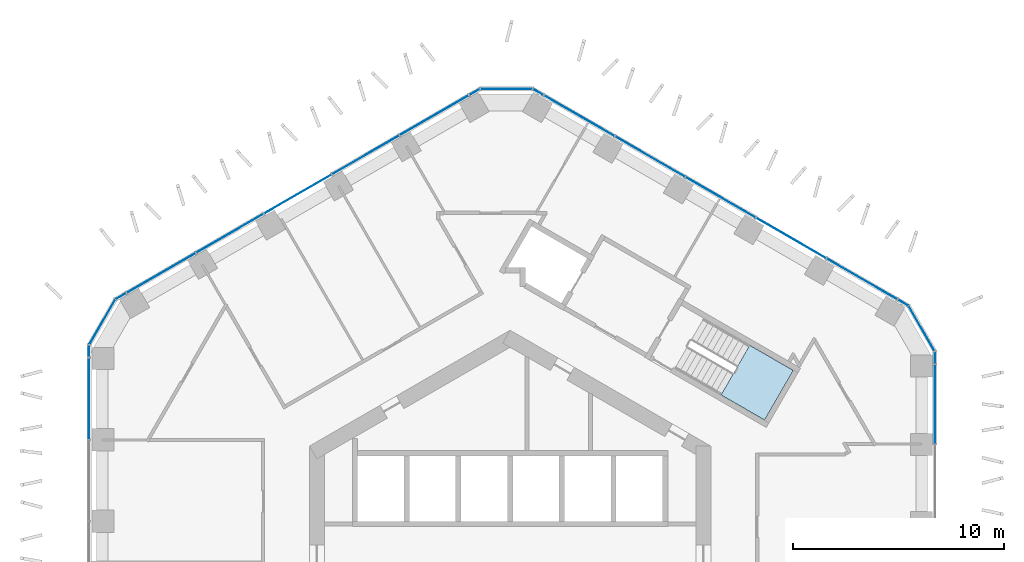
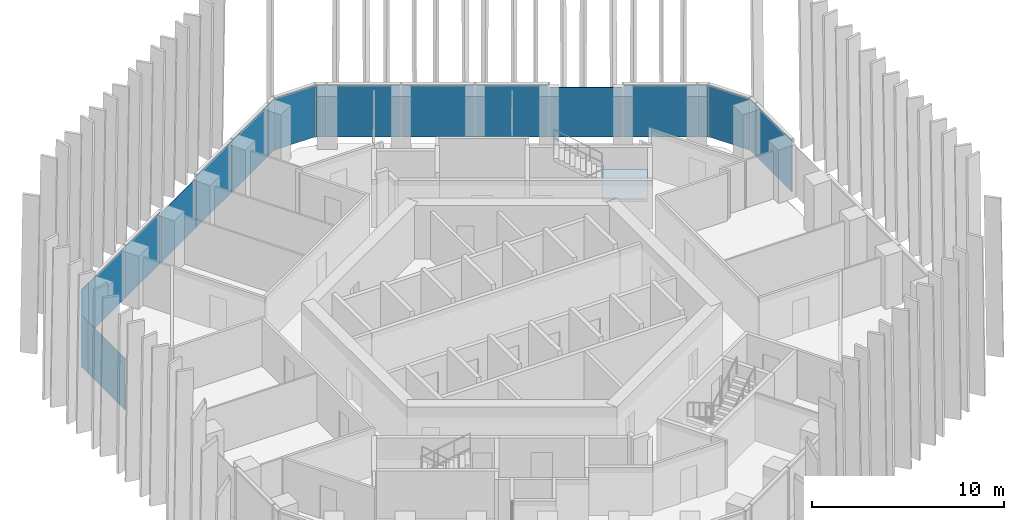
# One storey, part 11 of 19: 21 plates, 1 slab, 8 elements without a shape of their own.
"""IFC4 building model written with IfcOpenShell, lengths in metres."""

from ifc_helpers import new_model, si_unit, direction, frame, origin, origin_2d, place, context, subcontext, project, spatial, polyline, rectangle, outline, extrude, material, layer, layer_set, type_object, element, aggregate, save


model = new_model("IFC4")

# Units and contexts
model_context = context("Model", 3, precision=1e-05, world=origin(), true_north=direction((0.0, 1.0)))
body_context = subcontext(model_context, "Body", "Model", "MODEL_VIEW")
ifc_project = project(units=[si_unit("LENGTHUNIT", "METRE"), si_unit("AREAUNIT", "SQUARE_METRE"), si_unit("VOLUMEUNIT", "CUBIC_METRE"), si_unit("PLANEANGLEUNIT", "RADIAN"), si_unit("MASSUNIT", "GRAM", prefix="KILO")], contexts=[model_context])

# Site, building, storey
site_placement = place(None, origin())
site = spatial("IfcSite", under=ifc_project, at=site_placement, CompositionType="ELEMENT")
building_placement = place(site_placement, origin())
building = spatial("IfcBuilding", under=site, at=building_placement, Name="Ayvan Gate Tower", CompositionType="ELEMENT")
storey_placement = place(building_placement, frame((0.0, 0.0, 93.300048828125)))
storey = spatial("IfcBuildingStorey", under=building, at=storey_placement, Name="L24", CompositionType="ELEMENT", Elevation=93.300048828125)

# Stair, slab
ifc_material_1 = material(Name="Concrete C40/50", Category="concrete")
stair_type = type_object("IfcStairType", Name="ST-EXIT", PredefinedType="HALF_TURN_STAIR", material=ifc_material_1)
stair_placement = place(storey_placement, origin())
stair = element("IfcStair", 1, at=stair_placement, inside=storey, type_object=stair_type, Name="L24 Exit Stair S1", PredefinedType="HALF_TURN_STAIR")
ifc_layer_1 = layer(ifc_material_1, 0.199951171875)
ifc_layer_set_1 = layer_set([ifc_layer_1], Name="Concrete C40/50")
slab_type = type_object("IfcSlabType", Name="SL-LANDING-200", PredefinedType="LANDING", material=ifc_layer_set_1)
slab_placement = place(storey_placement, frame((0.0, 0.0, 1.5)))
slab = element("IfcSlab", 2, at=slab_placement, type_object=slab_type, Name="STS1 landing 1", PredefinedType="LANDING", context=body_context, shape_type="SweptSolid", body=[
    extrude(outline(polyline([(9.988525390625, 7.91064453125), (12.049560546875, 6.720458984375), (13.404541015625, 9.0673828125), (11.343505859375, 10.257568359375), (9.988525390625, 7.91064453125)])), origin(), (0.0, 0.0, 1.0), 0.199951171875),
])
aggregate(stair, [slab])

# Curtain wall, plates
ifc_material_2 = material(Name="Bronze anodised aluminium", Category="aluminium")
ifc_layer_2 = layer(ifc_material_2, 0.199951171875)
ifc_layer_set_2 = layer_set([ifc_layer_2], Name="Bronze anodised aluminium")
curtain_wall_type_1 = type_object("IfcCurtainWallType", Name="Stick curtain wall CW-1", PredefinedType="NOTDEFINED", material=ifc_layer_set_2)
curtain_wall_1_placement = place(storey_placement, origin())
curtain_wall_1 = element("IfcCurtainWall", 3, at=curtain_wall_1_placement, inside=storey, type_object=curtain_wall_type_1, Name="Stick curtain wall CW-1 L24", PredefinedType="NOTDEFINED")
ifc_material_3 = material(Name="Clear low-iron laminated glass", Category="glass")
ifc_layer_3 = layer(ifc_material_3, 0.028076171875)
ifc_layer_set_3 = layer_set([ifc_layer_3], Name="Clear low-iron laminated glass")
plate_type_1 = type_object("IfcPlateType", Name="Stick curtain wall CW-1 glass panel", PredefinedType="CURTAIN_PANEL", material=ifc_layer_set_3)
plate_1_placement = place(storey_placement, frame((-3.576904296875, 21.156494140625, 0.0), z_axis=(0.0, 0.0, 1.0), x_axis=(-0.866025403784, -0.5, 0.0)))
plate_1 = element("IfcPlate", 4, at=plate_1_placement, type_object=plate_type_1, Name="CW-1 glass panel 1", PredefinedType="CURTAIN_PANEL", context=body_context, shape_type="SweptSolid", body=[
    extrude(rectangle(XDim=3.76806640625, YDim=0.028076171875, at=origin_2d()), origin(), (0.0, 0.0, 1.0), 3.280029296875),
])
plate_2_placement = place(storey_placement, frame((-6.84130859375, 19.271728515625, 0.0), z_axis=(0.0, 0.0, 1.0), x_axis=(-0.866025403784, -0.5, 0.0)))
plate_2 = element("IfcPlate", 5, at=plate_2_placement, type_object=plate_type_1, Name="CW-1 glass panel 2", PredefinedType="CURTAIN_PANEL", context=body_context, shape_type="SweptSolid", body=[
    extrude(rectangle(XDim=3.65087890625, YDim=0.028076171875, at=origin_2d()), origin(), (0.0, 0.0, 1.0), 3.280029296875),
])
plate_3_placement = place(storey_placement, frame((-10.05517578125, 17.416259765625, 0.0), z_axis=(0.0, 0.0, 1.0), x_axis=(-0.866025403784, -0.5, 0.0)))
plate_3 = element("IfcPlate", 6, at=plate_3_placement, type_object=plate_type_1, Name="CW-1 glass panel 3", PredefinedType="CURTAIN_PANEL", context=body_context, shape_type="SweptSolid", body=[
    extrude(rectangle(XDim=3.65087890625, YDim=0.028076171875, at=origin_2d()), origin(), (0.0, 0.0, 1.0), 3.14990234375),
])
plate_4_placement = place(storey_placement, frame((-13.26953125, 15.560546875, 0.0), z_axis=(0.0, 0.0, 1.0), x_axis=(-0.866025403784, -0.5, 0.0)))
plate_4 = element("IfcPlate", 7, at=plate_4_placement, type_object=plate_type_1, Name="CW-1 glass panel 4", PredefinedType="CURTAIN_PANEL", context=body_context, shape_type="SweptSolid", body=[
    extrude(rectangle(XDim=3.652099609375, YDim=0.028076171875, at=origin_2d()), origin(), (0.0, 0.0, 1.0), 3.280029296875),
])
plate_5_placement = place(storey_placement, frame((-16.533935546875, 13.67578125, 0.0), z_axis=(0.0, 0.0, 1.0), x_axis=(-0.866025403784, -0.5, 0.0)))
plate_5 = element("IfcPlate", 8, at=plate_5_placement, type_object=plate_type_1, Name="CW-1 glass panel 5", PredefinedType="CURTAIN_PANEL", context=body_context, shape_type="SweptSolid", body=[
    extrude(rectangle(XDim=3.767333984375, YDim=0.028076171875, at=origin_2d()), origin(), (0.0, 0.0, 1.0), 3.280029296875),
])
aggregate(curtain_wall_1, [plate_1, plate_2, plate_3, plate_4, plate_5])

# Curtain wall, plate
curtain_wall_2_placement = place(storey_placement, origin())
curtain_wall_2 = element("IfcCurtainWall", 9, at=curtain_wall_2_placement, inside=storey, type_object=curtain_wall_type_1, Name="Stick curtain wall CW-1 L24", PredefinedType="NOTDEFINED")
plate_6_placement = place(storey_placement, frame((-19.9326171875, 7.742919921875, 0.0), z_axis=(0.0, 0.0, 1.0), x_axis=(0.0, -1.0, 0.0)))
plate_6 = element("IfcPlate", 10, at=plate_6_placement, type_object=plate_type_1, Name="CW-1 glass panel 1", PredefinedType="CURTAIN_PANEL", context=body_context, shape_type="SweptSolid", body=[
    extrude(rectangle(XDim=3.860107421875, YDim=0.028076171875, at=origin_2d()), origin(), (0.0, 0.0, 1.0), 3.280029296875),
])
aggregate(curtain_wall_2, [plate_6])

curtain_wall_3_placement = place(storey_placement, origin())
curtain_wall_3 = element("IfcCurtainWall", 11, at=curtain_wall_3_placement, inside=storey, type_object=curtain_wall_type_1, Name="Stick curtain wall CW-1 L24", PredefinedType="NOTDEFINED")
plate_7_placement = place(storey_placement, frame((20.110595703125, 7.48095703125, 0.0), z_axis=(0.0, 0.0, 1.0), x_axis=(0.0, 1.0, 0.0)))
plate_7 = element("IfcPlate", 12, at=plate_7_placement, type_object=plate_type_1, Name="CW-1 glass panel 5", PredefinedType="CURTAIN_PANEL", context=body_context, shape_type="SweptSolid", body=[
    extrude(rectangle(XDim=3.767333984375, YDim=0.028076171875, at=origin_2d()), origin(), (0.0, 0.0, 1.0), 3.280029296875),
])
aggregate(curtain_wall_3, [plate_7])

# Curtain wall, plates
curtain_wall_4_placement = place(storey_placement, origin())
curtain_wall_4 = element("IfcCurtainWall", 13, at=curtain_wall_4_placement, inside=storey, type_object=curtain_wall_type_1, Name="Stick curtain wall CW-1 L24", PredefinedType="NOTDEFINED")
plate_8_placement = place(storey_placement, frame((16.671875, 13.390625, 0.0), z_axis=(0.0, 0.0, 1.0), x_axis=(-0.866025403784, 0.5, 0.0)))
plate_8 = element("IfcPlate", 14, at=plate_8_placement, type_object=plate_type_1, Name="CW-1 glass panel 1", PredefinedType="CURTAIN_PANEL", context=body_context, shape_type="SweptSolid", body=[
    extrude(rectangle(XDim=3.860107421875, YDim=0.028076171875, at=origin_2d()), origin(), (0.0, 0.0, 1.0), 3.280029296875),
])
plate_9_placement = place(storey_placement, frame((13.30517578125, 15.334228515625, 0.0), z_axis=(0.0, 0.0, 1.0), x_axis=(-0.866025403784, 0.5, 0.0)))
plate_9 = element("IfcPlate", 15, at=plate_9_placement, type_object=plate_type_1, Name="CW-1 glass panel 2", PredefinedType="CURTAIN_PANEL", context=body_context, shape_type="SweptSolid", body=[
    extrude(rectangle(XDim=3.794921875, YDim=0.028076171875, at=origin_2d()), origin(), (0.0, 0.0, 1.0), 3.14990234375),
])
plate_10_placement = place(storey_placement, frame((9.96630859375, 17.261962890625, 0.0), z_axis=(0.0, 0.0, 1.0), x_axis=(-0.866025403784, 0.5, 0.0)))
plate_10 = element("IfcPlate", 16, at=plate_10_placement, type_object=plate_type_1, Name="CW-1 glass panel 3", PredefinedType="CURTAIN_PANEL", context=body_context, shape_type="SweptSolid", body=[
    extrude(rectangle(XDim=3.7958984375, YDim=0.028076171875, at=origin_2d()), origin(), (0.0, 0.0, 1.0), 3.280029296875),
])
plate_11_placement = place(storey_placement, frame((6.62744140625, 19.189697265625, 0.0), z_axis=(0.0, 0.0, 1.0), x_axis=(-0.866025403784, 0.5, 0.0)))
plate_11 = element("IfcPlate", 17, at=plate_11_placement, type_object=plate_type_1, Name="CW-1 glass panel 4", PredefinedType="CURTAIN_PANEL", context=body_context, shape_type="SweptSolid", body=[
    extrude(rectangle(XDim=3.794921875, YDim=0.028076171875, at=origin_2d()), origin(), (0.0, 0.0, 1.0), 3.280029296875),
])
plate_12_placement = place(storey_placement, frame((3.2607421875, 21.133544921875, 0.0), z_axis=(0.0, 0.0, 1.0), x_axis=(-0.866025403784, 0.5, 0.0)))
plate_12 = element("IfcPlate", 18, at=plate_12_placement, type_object=plate_type_1, Name="CW-1 glass panel 5", PredefinedType="CURTAIN_PANEL", context=body_context, shape_type="SweptSolid", body=[
    extrude(rectangle(XDim=3.860107421875, YDim=0.028076171875, at=origin_2d()), origin(), (0.0, 0.0, 1.0), 3.280029296875),
])
aggregate(curtain_wall_4, [plate_8, plate_9, plate_10, plate_11, plate_12])

ifc_layer_4 = layer(ifc_material_2, 0.199951171875)
ifc_layer_set_4 = layer_set([ifc_layer_4], Name="Bronze anodised aluminium")
curtain_wall_type_2 = type_object("IfcCurtainWallType", Name="Stick curtain wall CW-6", PredefinedType="NOTDEFINED", material=ifc_layer_set_4)
curtain_wall_5_placement = place(storey_placement, origin())
curtain_wall_5 = element("IfcCurtainWall", 19, at=curtain_wall_5_placement, inside=storey, type_object=curtain_wall_type_2, Name="Stick curtain wall CW-6 L24", PredefinedType="NOTDEFINED")
ifc_layer_5 = layer(ifc_material_3, 0.028076171875)
ifc_layer_set_5 = layer_set([ifc_layer_5], Name="Clear low-iron laminated glass")
plate_type_2 = type_object("IfcPlateType", Name="Stick curtain wall CW-6 glass panel", PredefinedType="CURTAIN_PANEL", material=ifc_layer_set_5)
plate_13_placement = place(storey_placement, frame((-18.429443359375, 12.58154296875, 0.0), z_axis=(0.0, 0.0, 1.0), x_axis=(-0.866025403784, -0.5, 0.0)))
plate_13 = element("IfcPlate", 20, at=plate_13_placement, type_object=plate_type_2, Name="CW-6 glass panel 1", PredefinedType="CURTAIN_PANEL", context=body_context, shape_type="SweptSolid", body=[
    extrude(rectangle(XDim=0.550048828125, YDim=0.028076171875, at=origin_2d()), origin(), (0.0, 0.0, 1.0), 3.280029296875),
])
plate_14_placement = place(storey_placement, frame((-19.310791015625, 11.354736328125, 0.0), z_axis=(0.0, 0.0, 1.0), x_axis=(-0.5, -0.866025403784, 0.0)))
plate_14 = element("IfcPlate", 21, at=plate_14_placement, type_object=plate_type_2, Name="CW-6 glass panel 2", PredefinedType="CURTAIN_PANEL", context=body_context, shape_type="SweptSolid", body=[
    extrude(rectangle(XDim=2.4365234375, YDim=0.028076171875, at=origin_2d()), origin(), (0.0, 0.0, 1.0), 3.280029296875),
])
plate_15_placement = place(storey_placement, frame((-19.9326171875, 9.97802734375, 0.0), z_axis=(0.0, 0.0, 1.0), x_axis=(0.0, -1.0, 0.0)))
plate_15 = element("IfcPlate", 22, at=plate_15_placement, type_object=plate_type_2, Name="CW-6 glass panel 3", PredefinedType="CURTAIN_PANEL", context=body_context, shape_type="SweptSolid", body=[
    extrude(rectangle(XDim=0.550048828125, YDim=0.028076171875, at=origin_2d()), origin(), (0.0, 0.0, 1.0), 3.280029296875),
])
aggregate(curtain_wall_5, [plate_13, plate_14, plate_15])

curtain_wall_6_placement = place(storey_placement, origin())
curtain_wall_6 = element("IfcCurtainWall", 23, at=curtain_wall_6_placement, inside=storey, type_object=curtain_wall_type_2, Name="Stick curtain wall CW-6 L24", PredefinedType="NOTDEFINED")
plate_16_placement = place(storey_placement, frame((20.110595703125, 9.669677734375, 0.0), z_axis=(0.0, 0.0, 1.0), x_axis=(0.0, 1.0, 0.0)))
plate_16 = element("IfcPlate", 24, at=plate_16_placement, type_object=plate_type_2, Name="CW-6 glass panel 1", PredefinedType="CURTAIN_PANEL", context=body_context, shape_type="SweptSolid", body=[
    extrude(rectangle(XDim=0.550048828125, YDim=0.028076171875, at=origin_2d()), origin(), (0.0, 0.0, 1.0), 3.280029296875),
])
plate_17_placement = place(storey_placement, frame((19.489013671875, 11.04638671875, 0.0), z_axis=(0.0, 0.0, 1.0), x_axis=(-0.5, 0.866025403784, 0.0)))
plate_17 = element("IfcPlate", 25, at=plate_17_placement, type_object=plate_type_2, Name="CW-6 glass panel 2", PredefinedType="CURTAIN_PANEL", context=body_context, shape_type="SweptSolid", body=[
    extrude(rectangle(XDim=2.4365234375, YDim=0.028076171875, at=origin_2d()), origin(), (0.0, 0.0, 1.0), 3.280029296875),
])
plate_18_placement = place(storey_placement, frame((18.607421875, 12.27294921875, 0.0), z_axis=(0.0, 0.0, 1.0), x_axis=(-0.866025403784, 0.5, 0.0)))
plate_18 = element("IfcPlate", 26, at=plate_18_placement, type_object=plate_type_2, Name="CW-6 glass panel 3", PredefinedType="CURTAIN_PANEL", context=body_context, shape_type="SweptSolid", body=[
    extrude(rectangle(XDim=0.550048828125, YDim=0.028076171875, at=origin_2d()), origin(), (0.0, 0.0, 1.0), 3.280029296875),
])
aggregate(curtain_wall_6, [plate_16, plate_17, plate_18])

curtain_wall_7_placement = place(storey_placement, origin())
curtain_wall_7 = element("IfcCurtainWall", 27, at=curtain_wall_7_placement, inside=storey, type_object=curtain_wall_type_2, Name="Stick curtain wall CW-6 L24", PredefinedType="NOTDEFINED")
plate_19_placement = place(storey_placement, frame((1.324951171875, 22.2509765625, 0.0), z_axis=(0.0, 0.0, 1.0), x_axis=(-0.866025403784, 0.5, 0.0)))
plate_19 = element("IfcPlate", 28, at=plate_19_placement, type_object=plate_type_2, Name="CW-6 glass panel 1", PredefinedType="CURTAIN_PANEL", context=body_context, shape_type="SweptSolid", body=[
    extrude(rectangle(XDim=0.550048828125, YDim=0.028076171875, at=origin_2d()), origin(), (0.0, 0.0, 1.0), 3.280029296875),
])
plate_20_placement = place(storey_placement, frame((-0.177978515625, 22.401123046875, 0.0), z_axis=(0.0, 0.0, 1.0), x_axis=(-1.0, 0.0, 0.0)))
plate_20 = element("IfcPlate", 29, at=plate_20_placement, type_object=plate_type_2, Name="CW-6 glass panel 2", PredefinedType="CURTAIN_PANEL", context=body_context, shape_type="SweptSolid", body=[
    extrude(rectangle(XDim=2.4365234375, YDim=0.028076171875, at=origin_2d()), origin(), (0.0, 0.0, 1.0), 3.280029296875),
])
plate_21_placement = place(storey_placement, frame((-1.68115234375, 22.2509765625, 0.0), z_axis=(0.0, 0.0, 1.0), x_axis=(-0.866025403784, -0.5, 0.0)))
plate_21 = element("IfcPlate", 30, at=plate_21_placement, type_object=plate_type_2, Name="CW-6 glass panel 3", PredefinedType="CURTAIN_PANEL", context=body_context, shape_type="SweptSolid", body=[
    extrude(rectangle(XDim=0.550048828125, YDim=0.028076171875, at=origin_2d()), origin(), (0.0, 0.0, 1.0), 3.280029296875),
])
aggregate(curtain_wall_7, [plate_19, plate_20, plate_21])

save(model, "model.ifc")
